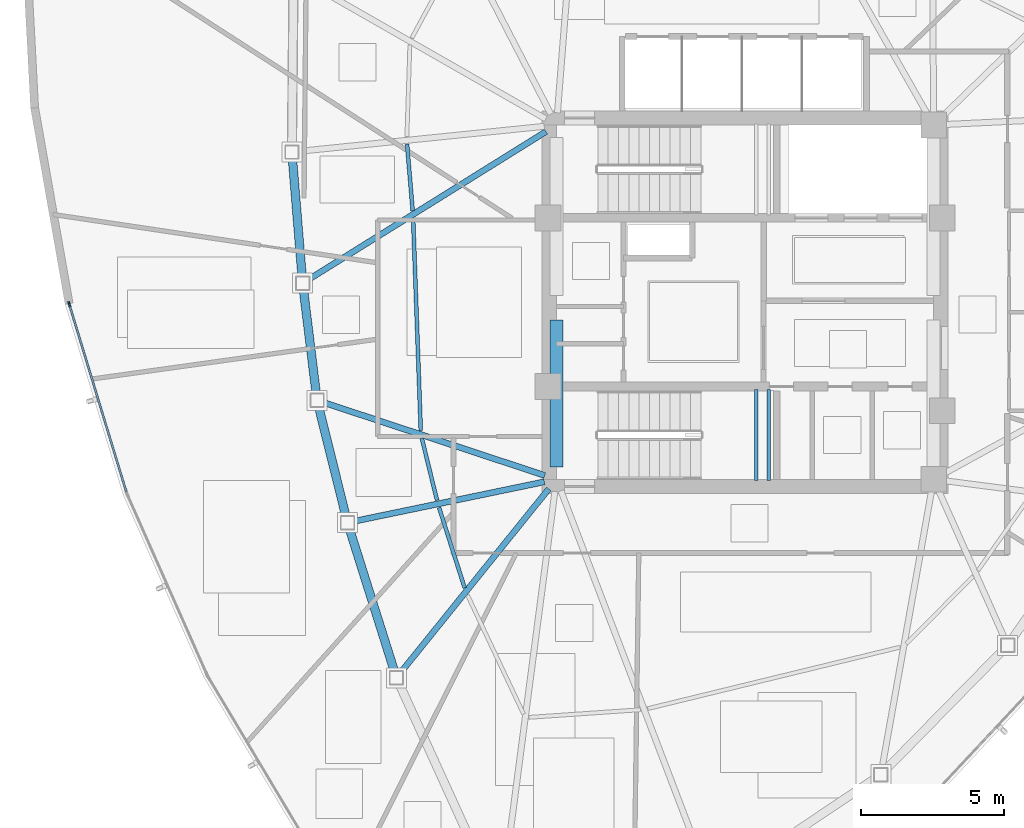
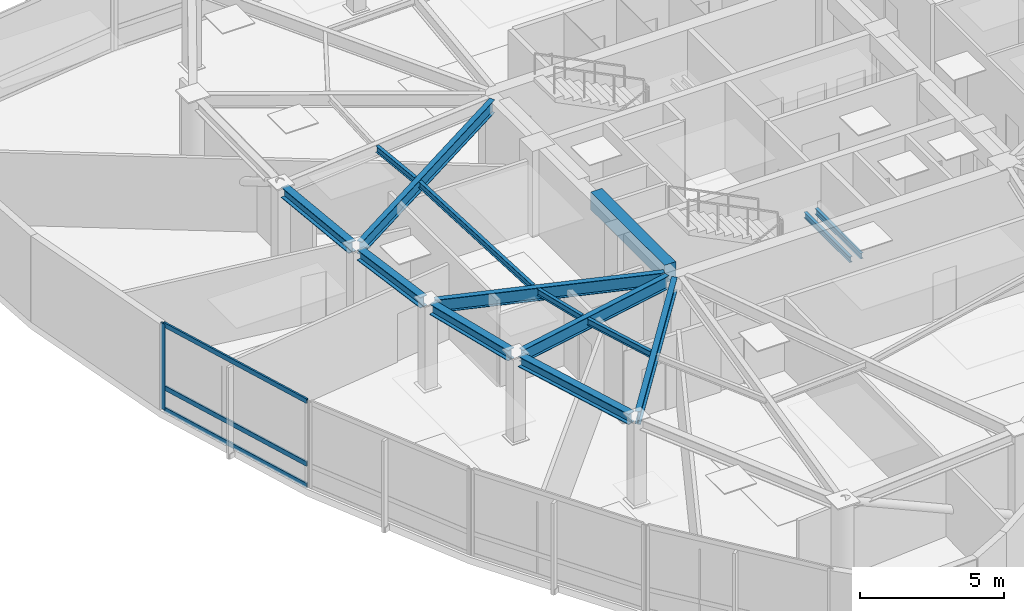
# One storey, part 3 of 14: 15 beams, 4 members, 1 element without a shape of its own.
"""IFC4 building model written with IfcOpenShell, lengths in metres."""

from ifc_helpers import new_model, si_unit, direction, frame, origin, origin_2d, place, context, subcontext, project, spatial, rectangle, hollow_rectangle, i_section, extrude, source, transform, mapped, material, layer, layer_set, material_profile, profile_set, type_object, type_shapes, element, aggregate, save


model = new_model("IFC4")

# Units and contexts
model_context = context("Model", 3, precision=1e-05, world=origin(), true_north=direction((0.0, 1.0)))
body_context = subcontext(model_context, "Body", "Model", "MODEL_VIEW")
ifc_project = project(units=[si_unit("LENGTHUNIT", "METRE"), si_unit("AREAUNIT", "SQUARE_METRE"), si_unit("VOLUMEUNIT", "CUBIC_METRE"), si_unit("PLANEANGLEUNIT", "RADIAN"), si_unit("MASSUNIT", "GRAM", prefix="KILO")], contexts=[model_context])

# Site, building, storey
site_placement = place(None, origin())
site = spatial("IfcSite", under=ifc_project, at=site_placement, CompositionType="ELEMENT")
building_placement = place(site_placement, origin())
building = spatial("IfcBuilding", under=site, at=building_placement, Name="Tavelor Broadcast Tower", CompositionType="ELEMENT")
storey_placement = place(building_placement, frame((0.0, 0.0, 253.75)))
storey = spatial("IfcBuildingStorey", under=building, at=storey_placement, Name="L60", CompositionType="ELEMENT", Elevation=253.75)

# Beams
ifc_material_1 = material(Name="Concrete C40/50", Category="concrete")
ifc_material_profile_1 = material_profile(ifc_material_1, rectangle(XDim=0.449951171875, YDim=0.75, at=origin_2d()), Name="RC 450x750")
ifc_profile_set_1 = profile_set([ifc_material_profile_1], Name="Concrete C40/50")
beam_type_1 = type_object("IfcBeamType", Name="Basement Core Trim Beam 450x750", PredefinedType="BEAM", material=ifc_profile_set_1)
beam_1_placement = place(storey_placement, frame((43.39990234375, 39.23193359375, 3.27490234375), z_axis=(0.0, 1.0, 0.0), x_axis=(-1.0, 0.0, 0.0)))
element("IfcBeam", 1, at=beam_1_placement, inside=storey, type_object=beam_type_1, Name="L60 Core West-S Tie Girder", PredefinedType="BEAM", context=body_context, shape_type="SweptSolid", body=[
    extrude(rectangle(XDim=0.449951171875, YDim=0.75, at=origin_2d()), origin(), (0.0, 0.0, 1.0), 5.135986328125),
])
ifc_material_2 = material(Name="Steel S355", Category="steel")
ifc_material_profile_2 = material_profile(ifc_material_2, i_section(OverallWidth=0.135009765625, OverallDepth=0.27001953125, WebThickness=0.006591796875, FlangeThickness=0.01025390625, at=origin_2d()), Name="IPE 270")
ifc_profile_set_2 = profile_set([ifc_material_profile_2], Name="Steel S355")
beam_type_2 = type_object("IfcBeamType", Name="Composite Floor Joist T6 IPE 270", PredefinedType="JOIST", material=ifc_profile_set_2)
beam_2_placement = place(storey_placement, frame((38.168701171875, 50.531982421875, 3.514892578125), z_axis=(0.084031501076, -0.996463098578, 0.0), x_axis=(0.996463098578, 0.084031501076, 0.0)))
element("IfcBeam", 2, at=beam_2_placement, inside=storey, type_object=beam_type_2, Name="L60 Secondary Composite Floor Joist 02", PredefinedType="JOIST", context=body_context, shape_type="SweptSolid", body=[
    extrude(i_section(OverallWidth=0.135009765625, OverallDepth=0.27001953125, WebThickness=0.006591796875, FlangeThickness=0.01025390625, at=origin_2d()), origin(), (0.0, 0.0, 1.0), 2.3359375),
])
beam_3_placement = place(storey_placement, frame((38.381103515625, 47.9365234375, 3.514892578125), z_axis=(0.035987571959, -0.999352237534, 0.0), x_axis=(0.999352237534, 0.035987571959, 0.0)))
element("IfcBeam", 3, at=beam_3_placement, inside=storey, type_object=beam_type_2, Name="L60 Secondary Composite Floor Joist 03", PredefinedType="JOIST", context=body_context, shape_type="SweptSolid", body=[
    extrude(i_section(OverallWidth=0.135009765625, OverallDepth=0.27001953125, WebThickness=0.006591796875, FlangeThickness=0.01025390625, at=origin_2d()), origin(), (0.0, 0.0, 1.0), 7.442138671875),
])
beam_4_placement = place(storey_placement, frame((38.685546875, 40.23486328125, 3.514892578125), z_axis=(0.238024718386, -0.971259096965, 0.0), x_axis=(0.971259096965, 0.238024718386, 0.0)))
element("IfcBeam", 4, at=beam_4_placement, inside=storey, type_object=beam_type_2, Name="L60 Secondary Composite Floor Joist 04", PredefinedType="JOIST", context=body_context, shape_type="SweptSolid", body=[
    extrude(i_section(OverallWidth=0.135009765625, OverallDepth=0.27001953125, WebThickness=0.006591796875, FlangeThickness=0.01025390625, at=origin_2d()), origin(), (0.0, 0.0, 1.0), 2.22998046875),
])
beam_5_placement = place(storey_placement, frame((39.2890625, 37.810791015625, 3.514892578125), z_axis=(0.303612721519, -0.952795526507, 0.0), x_axis=(0.952795526507, 0.303612721519, 0.0)))
element("IfcBeam", 5, at=beam_5_placement, inside=storey, type_object=beam_type_2, Name="L60 Secondary Composite Floor Joist 05", PredefinedType="JOIST", context=body_context, shape_type="SweptSolid", body=[
    extrude(i_section(OverallWidth=0.135009765625, OverallDepth=0.27001953125, WebThickness=0.006591796875, FlangeThickness=0.01025390625, at=origin_2d()), origin(), (0.0, 0.0, 1.0), 2.9560546875),
])
ifc_material_profile_3 = material_profile(ifc_material_2, i_section(OverallWidth=0.300048828125, OverallDepth=0.449951171875, WebThickness=0.013916015625, FlangeThickness=0.02587890625, at=origin_2d()), Name="HEB 450")
ifc_profile_set_3 = profile_set([ifc_material_profile_3], Name="Steel S355")
beam_type_3 = type_object("IfcBeamType", Name="Perimeter Spandrel Beam T6 HEB 450", PredefinedType="SPANDREL", material=ifc_profile_set_3)
beam_6_placement = place(storey_placement, frame((34.15673828125, 50.0166015625, 3.425048828125), z_axis=(0.081762604382, -0.996651833152, 0.0), x_axis=(0.996651833152, 0.081762604382, 0.0)))
element("IfcBeam", 6, at=beam_6_placement, inside=storey, type_object=beam_type_3, Name="L60 Framed-Tube Ring Spandrel 02", PredefinedType="SPANDREL", context=body_context, shape_type="SweptSolid", body=[
    extrude(i_section(OverallWidth=0.300048828125, OverallDepth=0.449951171875, WebThickness=0.013916015625, FlangeThickness=0.02587890625, at=origin_2d()), origin(), (0.0, 0.0, 1.0), 4.126708984375),
])
beam_7_placement = place(storey_placement, frame((34.54296875, 45.42626953125, 3.425048828125), z_axis=(0.122281853392, -0.992495414766, 0.0), x_axis=(0.992495414766, 0.122281853392, 0.0)))
element("IfcBeam", 7, at=beam_7_placement, inside=storey, type_object=beam_type_3, Name="L60 Framed-Tube Ring Spandrel 03", PredefinedType="SPANDREL", context=body_context, shape_type="SweptSolid", body=[
    extrude(i_section(OverallWidth=0.300048828125, OverallDepth=0.449951171875, WebThickness=0.013916015625, FlangeThickness=0.02587890625, at=origin_2d()), origin(), (0.0, 0.0, 1.0), 3.651611328125),
])
beam_8_placement = place(storey_placement, frame((35.076904296875, 41.3310546875, 3.425048828125), z_axis=(0.241279026366, -0.97045578541, 0.0), x_axis=(0.97045578541, 0.241279026366, 0.0)))
element("IfcBeam", 8, at=beam_8_placement, inside=storey, type_object=beam_type_3, Name="L60 Framed-Tube Ring Spandrel 04", PredefinedType="SPANDREL", context=body_context, shape_type="SweptSolid", body=[
    extrude(i_section(OverallWidth=0.300048828125, OverallDepth=0.449951171875, WebThickness=0.013916015625, FlangeThickness=0.02587890625, at=origin_2d()), origin(), (0.0, 0.0, 1.0), 3.93212890625),
])
beam_9_placement = place(storey_placement, frame((36.15576171875, 37.053466796875, 3.425048828125), z_axis=(0.300999122242, -0.953624416849, 0.0), x_axis=(0.953624416849, 0.300999122242, 0.0)))
element("IfcBeam", 9, at=beam_9_placement, inside=storey, type_object=beam_type_3, Name="L60 Framed-Tube Ring Spandrel 05", PredefinedType="SPANDREL", context=body_context, shape_type="SweptSolid", body=[
    extrude(i_section(OverallWidth=0.300048828125, OverallDepth=0.449951171875, WebThickness=0.013916015625, FlangeThickness=0.02587890625, at=origin_2d()), origin(), (0.0, 0.0, 1.0), 5.212890625),
])
ifc_material_profile_4 = material_profile(ifc_material_2, i_section(OverallWidth=0.2099609375, OverallDepth=0.550048828125, WebThickness=0.010986328125, FlangeThickness=0.01708984375, at=origin_2d()), Name="IPE 550")
ifc_profile_set_4 = profile_set([ifc_material_profile_4], Name="Steel S355")
beam_type_4 = type_object("IfcBeamType", Name="Radial Floor Girder T6 IPE 550", PredefinedType="BEAM", material=ifc_profile_set_4)
beam_10_placement = place(storey_placement, frame((43.033203125, 50.9716796875, 3.375), z_axis=(-0.848789723342, -0.528730560445, 0.0), x_axis=(0.528730560445, -0.848789723342, 0.0)))
element("IfcBeam", 10, at=beam_10_placement, inside=storey, type_object=beam_type_4, Name="L60 Radial Primary Floor Girder 03", PredefinedType="BEAM", context=body_context, shape_type="SweptSolid", body=[
    extrude(i_section(OverallWidth=0.2099609375, OverallDepth=0.550048828125, WebThickness=0.010986328125, FlangeThickness=0.01708984375, at=origin_2d()), origin(), (0.0, 0.0, 1.0), 9.79736328125),
])
beam_11_placement = place(storey_placement, frame((42.98974609375, 38.935302734375, 3.375), z_axis=(-0.949690563793, 0.313189771613, 0.0), x_axis=(-0.313189771613, -0.949690563793, 0.0)))
element("IfcBeam", 11, at=beam_11_placement, inside=storey, type_object=beam_type_4, Name="L60 Radial Primary Floor Girder 04", PredefinedType="BEAM", context=body_context, shape_type="SweptSolid", body=[
    extrude(i_section(OverallWidth=0.2099609375, OverallDepth=0.550048828125, WebThickness=0.010986328125, FlangeThickness=0.01708984375, at=origin_2d()), origin(), (0.0, 0.0, 1.0), 8.153076171875),
])
beam_12_placement = place(storey_placement, frame((42.97705078125, 38.71240234375, 3.375), z_axis=(-0.979151221162, -0.203132681016, 0.0), x_axis=(0.203132681016, -0.979151221162, 0.0)))
element("IfcBeam", 12, at=beam_12_placement, inside=storey, type_object=beam_type_4, Name="L60 Radial Primary Floor Girder 05", PredefinedType="BEAM", context=body_context, shape_type="SweptSolid", body=[
    extrude(i_section(OverallWidth=0.2099609375, OverallDepth=0.550048828125, WebThickness=0.010986328125, FlangeThickness=0.01708984375, at=origin_2d()), origin(), (0.0, 0.0, 1.0), 6.80029296875),
])
beam_13_placement = place(storey_placement, frame((43.12890625, 38.463623046875, 3.375), z_axis=(-0.627814320215, -0.778363141042, 0.0), x_axis=(0.778363141042, -0.627814320215, 0.0)))
element("IfcBeam", 13, at=beam_13_placement, inside=storey, type_object=beam_type_4, Name="L60 Radial Primary Floor Girder 06", PredefinedType="BEAM", context=body_context, shape_type="SweptSolid", body=[
    extrude(i_section(OverallWidth=0.2099609375, OverallDepth=0.550048828125, WebThickness=0.010986328125, FlangeThickness=0.01708984375, at=origin_2d()), origin(), (0.0, 0.0, 1.0), 8.252685546875),
])
ifc_material_profile_5 = material_profile(ifc_material_2, i_section(OverallWidth=0.1201171875, OverallDepth=0.239990234375, WebThickness=0.006103515625, FlangeThickness=0.009765625, at=origin_2d()), Name="IPE 240")
ifc_profile_set_5 = profile_set([ifc_material_profile_5], Name="Steel S355")
beam_type_5 = type_object("IfcBeamType", Name="Stairwell Landing Support Trimmer Beam IPE240", PredefinedType="BEAM", material=ifc_profile_set_5)
for number, where, z_axis, x_axis, name in (
    (14, (50.385009765625, 38.760009765625, 1.659912109375), (0.0, 1.0, 0.0), (-1.0, 0.0, 0.0), "L60 Stair Landing Support Beam 375"),
    (15, (50.824951171875, 38.760009765625, 1.659912109375), (0.0, 1.0, 0.0), (-1.0, 0.0, 0.0), "L60 Stair Landing Support Beam 376"),
):
    element("IfcBeam", number, at=place(storey_placement, frame(where, z_axis=z_axis, x_axis=x_axis)), inside=storey, type_object=beam_type_5, Name=name, PredefinedType="BEAM", context=body_context, shape_type="SweptSolid", body=[
        extrude(i_section(OverallWidth=0.1201171875, OverallDepth=0.239990234375, WebThickness=0.006103515625, FlangeThickness=0.009765625, at=origin_2d()), origin(), (0.0, 0.0, 1.0), 3.179931640625),
    ])

# Curtain wall, members
ifc_material_3 = material(Name="Architectural Anodized Aluminium", Category="aluminium")
ifc_layer = layer(ifc_material_3, 0.199951171875)
ifc_layer_set = layer_set([ifc_layer], Name="Architectural Anodized Aluminium")
curtain_wall_type = type_object("IfcCurtainWallType", Name="Tower High-Zone Triple-Glazed Curtain Wall CW04", PredefinedType="NOTDEFINED", material=ifc_layer_set)
curtain_wall_placement = place(storey_placement, origin())
curtain_wall = element("IfcCurtainWall", 16, at=curtain_wall_placement, inside=storey, type_object=curtain_wall_type, Name="L60 Curtain Wall CW04 Run 649", PredefinedType="NOTDEFINED")
ifc_material_profile_6 = material_profile(ifc_material_3, hollow_rectangle(XDim=0.070068359375, YDim=0.199951171875, WallThickness=0.02197265625, at=origin_2d()), Name="RHS 70x200x22")
ifc_profile_set_6 = profile_set([ifc_material_profile_6], Name="Architectural Anodized Aluminium")
member_type_1 = type_object("IfcMemberType", Name="CW04 Extruded Aluminium Mullion 70x200", PredefinedType="MULLION", material=ifc_profile_set_6)
shared_shape_1 = source(origin(), body_context, "Body", "SweptSolid", [
    extrude(hollow_rectangle(XDim=0.070068359375, YDim=0.199951171875, WallThickness=0.02197265625, at=origin_2d()), origin(), (0.0, 0.0, 1.0), 3.64990234375),
])
type_shapes(member_type_1, [shared_shape_1])
member_1_placement = place(storey_placement, frame((26.34423828125, 44.9228515625, 0.0), z_axis=(0.0, 0.0, 1.0), x_axis=(0.956684855771, 0.291125551504, 0.0)))
member_1 = element("IfcMember", 17, at=member_1_placement, type_object=member_type_1, Name="CW04 mullion 1", PredefinedType="MULLION", context=body_context, shape_type="MappedRepresentation", body=[
    mapped(shared_shape_1, transform((0.0, 0.0, 0.0), scale=1.0)),
])
ifc_material_profile_7 = material_profile(ifc_material_3, hollow_rectangle(XDim=0.070068359375, YDim=0.199951171875, WallThickness=0.02197265625, at=origin_2d()), Name="RHS 70x200x22")
ifc_profile_set_7 = profile_set([ifc_material_profile_7], Name="Architectural Anodized Aluminium")
member_type_2 = type_object("IfcMemberType", Name="CW04 Extruded Aluminium Transom 70x200", PredefinedType="USERDEFINED", material=ifc_profile_set_7)
shared_shape_2 = source(origin(), body_context, "Body", "SweptSolid", [
    extrude(hollow_rectangle(XDim=0.070068359375, YDim=0.199951171875, WallThickness=0.02197265625, at=origin_2d()), origin(), (0.0, 0.0, 1.0), 6.811279296875),
])
type_shapes(member_type_2, [shared_shape_2])
member_2_placement = place(storey_placement, frame((26.3544921875, 44.889404296875, 0.034912109375), z_axis=(0.291117400753, -0.956687336061, 0.0), x_axis=(0.956687336061, 0.291117400753, 0.0)))
member_2 = element("IfcMember", 18, at=member_2_placement, type_object=member_type_2, Name="CW04 transom 1.1", ObjectType="TRANSOM", PredefinedType="USERDEFINED", context=body_context, shape_type="MappedRepresentation", body=[
    mapped(shared_shape_2, transform((0.0, 0.0, 0.0), scale=1.0)),
])
member_3_placement = place(storey_placement, frame((26.3544921875, 44.889404296875, 0.949951171875), z_axis=(0.291117400753, -0.956687336061, 0.0), x_axis=(0.956687336061, 0.291117400753, 0.0)))
member_3 = element("IfcMember", 19, at=member_3_placement, type_object=member_type_2, Name="CW04 transom 1.2", ObjectType="TRANSOM", PredefinedType="USERDEFINED", context=body_context, shape_type="MappedRepresentation", body=[
    mapped(shared_shape_2, transform((0.0, 0.0, 0.0), scale=1.0)),
])
member_4_placement = place(storey_placement, frame((26.3544921875, 44.889404296875, 3.614990234375), z_axis=(0.291117400753, -0.956687336061, 0.0), x_axis=(0.956687336061, 0.291117400753, 0.0)))
member_4 = element("IfcMember", 20, at=member_4_placement, type_object=member_type_2, Name="CW04 transom 1.3", ObjectType="TRANSOM", PredefinedType="USERDEFINED", context=body_context, shape_type="MappedRepresentation", body=[
    mapped(shared_shape_2, transform((0.0, 0.0, 0.0), scale=1.0)),
])
aggregate(curtain_wall, [member_1, member_2, member_3, member_4])

save(model, "model.ifc")
